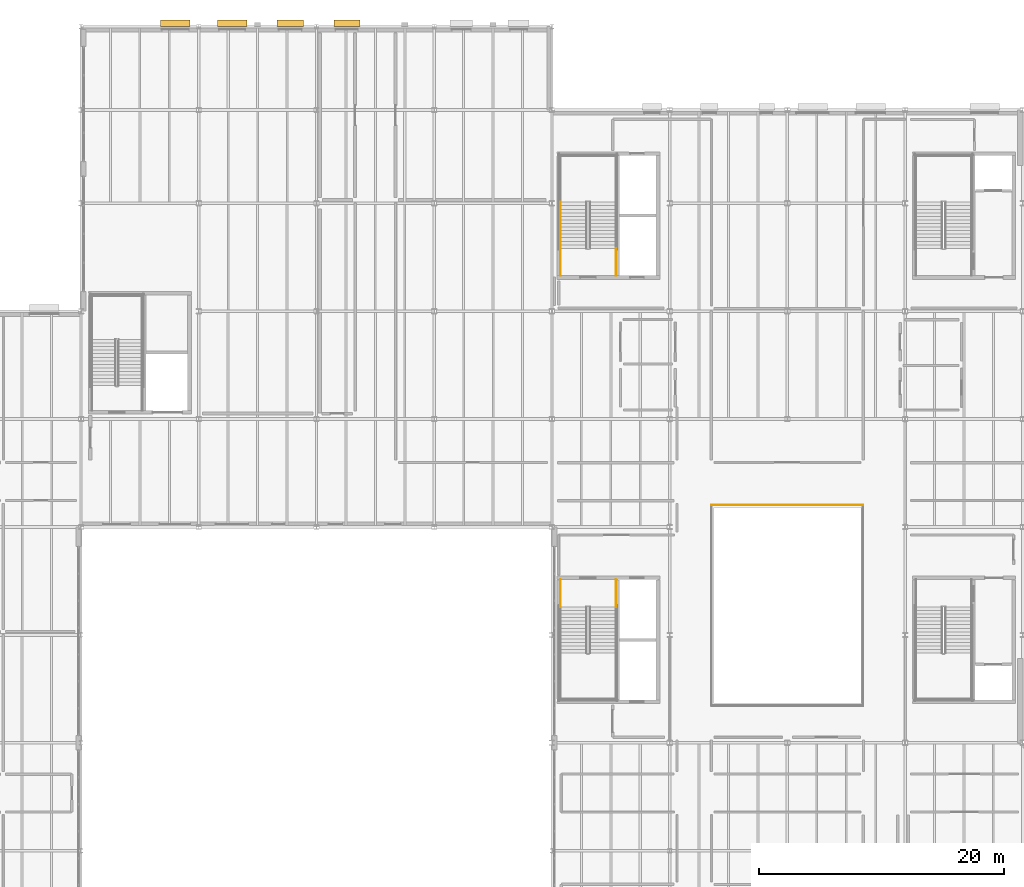
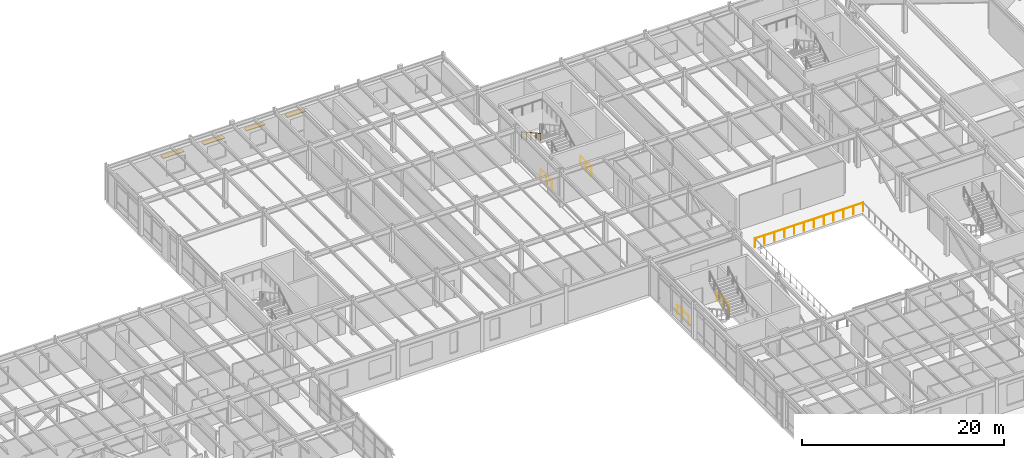
# One storey, part 83 of 88: 6 railings, 4 shading devices.
"""IFC4 building model written with IfcOpenShell, lengths in metres."""

from ifc_helpers import new_model, si_unit, direction, frame, origin, origin_2d, place, context, subcontext, project, spatial, rectangle, circle, extrude, material, layer, layer_set, type_object, element, save


model = new_model("IFC4")

# Units and contexts
model_context = context("Model", 3, precision=1e-05, world=origin(), true_north=direction((0.0, 1.0)))
body_context = subcontext(model_context, "Body", "Model", "MODEL_VIEW")
ifc_project = project(units=[si_unit("LENGTHUNIT", "METRE"), si_unit("AREAUNIT", "SQUARE_METRE"), si_unit("VOLUMEUNIT", "CUBIC_METRE"), si_unit("PLANEANGLEUNIT", "RADIAN"), si_unit("MASSUNIT", "GRAM", prefix="KILO")], contexts=[model_context])

# Site, building, storey
site_placement = place(None, origin())
site = spatial("IfcSite", under=ifc_project, at=site_placement, CompositionType="ELEMENT")
building_placement = place(site_placement, origin())
building = spatial("IfcBuilding", under=site, at=building_placement, Name="Sarnbrook Museum", CompositionType="ELEMENT")
storey_placement = place(building_placement, frame((0.0, 0.0, 10.10009765625)))
storey = spatial("IfcBuildingStorey", under=building, at=storey_placement, Name="L02", CompositionType="ELEMENT", Elevation=10.10009765625)

# Shading devices
ifc_material_1 = material(Name="Patinated Architectural Bronze")
shading_device_type = type_object("IfcShadingDeviceType", Name="BriseSoleil_Horizontal", PredefinedType="SHUTTER", material=ifc_material_1)
shading_device_1_placement = place(storey_placement, frame((64.073974609375, 115.469970703125, 2.7646484375), z_axis=(0.0, 0.0, 1.0), x_axis=(1.0, 0.0, 0.0)))
element("IfcShadingDevice", 1, at=shading_device_1_placement, inside=storey, type_object=shading_device_type, Name="Horizontal Bronze Brise-Soleil BS-022", PredefinedType="SHUTTER", context=body_context, shape_type="SweptSolid", body=[
    extrude(rectangle(XDim=2.1201171875, YDim=0.550048828125, at=origin_2d()), origin(), (0.0, 0.0, 1.0), 0.090087890625),
])
shading_device_2_placement = place(storey_placement, frame((59.458984375, 115.469970703125, 2.7646484375), z_axis=(0.0, 0.0, 1.0), x_axis=(1.0, 0.0, 0.0)))
element("IfcShadingDevice", 2, at=shading_device_2_placement, inside=storey, type_object=shading_device_type, Name="Horizontal Bronze Brise-Soleil BS-023", PredefinedType="SHUTTER", context=body_context, shape_type="SweptSolid", body=[
    extrude(rectangle(XDim=2.14990234375, YDim=0.550048828125, at=origin_2d()), origin(), (0.0, 0.0, 1.0), 0.090087890625),
])
for number, where, z_axis, x_axis, name in (
    (3, (54.72412109375, 115.469970703125, 2.7646484375), (0.0, 0.0, 1.0), (1.0, 0.0, 0.0), "Horizontal Bronze Brise-Soleil BS-024"),
    (4, (50.083984375, 115.469970703125, 2.7646484375), (0.0, 0.0, 1.0), (1.0, 0.0, 0.0), "Horizontal Bronze Brise-Soleil BS-025"),
):
    element("IfcShadingDevice", number, at=place(storey_placement, frame(where, z_axis=z_axis, x_axis=x_axis)), inside=storey, type_object=shading_device_type, Name=name, PredefinedType="SHUTTER", context=body_context, shape_type="SweptSolid", body=[
        extrude(rectangle(XDim=2.39990234375, YDim=0.550048828125, at=origin_2d()), origin(), (0.0, 0.0, 1.0), 0.090087890625),
    ])

# Railings
ifc_material_2 = material(Name="Brushed Stainless Steel Grade 316", Category="steel")
ifc_layer_1 = layer(ifc_material_2, 0.050048828125)
ifc_layer_set_1 = layer_set([ifc_layer_1], Name="Brushed Stainless Steel Grade 316")
railing_type_1 = type_object("IfcRailingType", Name="Guard_Int1120", PredefinedType="BALUSTRADE", material=ifc_layer_set_1)
for number, where, name in (
    (5, (81.489990234375, 70.10009765625, 0.0), "L02 ST3 stair guard 8"),
    (6, (86.010009765625, 70.10009765625, 0.0), "L02 ST3 stair guard 9"),
):
    element("IfcRailing", number, at=place(storey_placement, frame(where)), inside=storey, type_object=railing_type_1, Name=name, PredefinedType="BALUSTRADE", context=body_context, shape_type="SweptSolid", body=[
        extrude(circle(Radius=0.02392578125, at=origin_2d()), frame((0.0, 0.0, 1.09619140625), z_axis=(0.0, -1.0, 0.0), x_axis=(1.0, 0.0, 0.0)), (0.0, 0.0, 1.0), 2.22021484375),
        extrude(circle(Radius=0.02099609375, at=origin_2d()), origin(), (0.0, 0.0, 1.0), 1.072021484375),
        extrude(circle(Radius=0.02099609375, at=origin_2d()), frame((0.0, -1.110107421875, 0.0)), (0.0, 0.0, 1.0), 1.072021484375),
        extrude(circle(Radius=0.02099609375, at=origin_2d()), frame((0.0, -2.22021484375, 0.0)), (0.0, 0.0, 1.0), 1.072021484375),
    ])
for number, where, name in (
    (7, (86.010009765625, 94.89990234375, 0.0), "L02 ST4 stair guard 8"),
    (8, (81.489990234375, 94.89990234375, 0.0), "L02 ST4 stair guard 9"),
):
    element("IfcRailing", number, at=place(storey_placement, frame(where)), inside=storey, type_object=railing_type_1, Name=name, PredefinedType="BALUSTRADE", context=body_context, shape_type="SweptSolid", body=[
        extrude(circle(Radius=0.02392578125, at=origin_2d()), frame((0.0, 0.0, 1.09619140625), z_axis=(0.0, 1.0, 0.0), x_axis=(-1.0, 0.0, 0.0)), (0.0, 0.0, 1.0), 2.22021484375),
        extrude(circle(Radius=0.02099609375, at=origin_2d()), origin(), (0.0, 0.0, 1.0), 1.072021484375),
        extrude(circle(Radius=0.02099609375, at=origin_2d()), frame((0.0, 1.110107421875, 0.0)), (0.0, 0.0, 1.0), 1.072021484375),
        extrude(circle(Radius=0.02099609375, at=origin_2d()), frame((0.0, 2.22021484375, 0.0)), (0.0, 0.0, 1.0), 1.072021484375),
    ])
railing_1_placement = place(storey_placement, frame((106.179931640625, 76.179931640625, 0.0)))
element("IfcRailing", 9, at=railing_1_placement, inside=storey, type_object=railing_type_1, Name="Atrium Gallery Balustrade L02-3", PredefinedType="BALUSTRADE", context=body_context, shape_type="SweptSolid", body=[
    extrude(circle(Radius=0.02392578125, at=origin_2d()), frame((0.0, 0.0, 1.09619140625), z_axis=(-1.0, 0.0, 0.0), x_axis=(0.0, -1.0, 0.0)), (0.0, 0.0, 1.0), 12.35986328125),
    extrude(circle(Radius=0.02099609375, at=origin_2d()), origin(), (0.0, 0.0, 1.0), 1.072021484375),
    extrude(circle(Radius=0.02099609375, at=origin_2d()), frame((-1.12353515625, 0.0, 0.0)), (0.0, 0.0, 1.0), 1.072021484375),
    extrude(circle(Radius=0.02099609375, at=origin_2d()), frame((-2.247314453125, 0.0, 0.0)), (0.0, 0.0, 1.0), 1.072021484375),
    extrude(circle(Radius=0.02099609375, at=origin_2d()), frame((-3.370849609375, 0.0, 0.0)), (0.0, 0.0, 1.0), 1.072021484375),
    extrude(circle(Radius=0.02099609375, at=origin_2d()), frame((-4.494384765625, 0.0, 0.0)), (0.0, 0.0, 1.0), 1.072021484375),
    extrude(circle(Radius=0.02099609375, at=origin_2d()), frame((-5.6181640625, 0.0, 0.0)), (0.0, 0.0, 1.0), 1.072021484375),
    extrude(circle(Radius=0.02099609375, at=origin_2d()), frame((-6.74169921875, 0.0, 0.0)), (0.0, 0.0, 1.0), 1.072021484375),
    extrude(circle(Radius=0.02099609375, at=origin_2d()), frame((-7.865478515625, 0.0, 0.0)), (0.0, 0.0, 1.0), 1.072021484375),
    extrude(circle(Radius=0.02099609375, at=origin_2d()), frame((-8.989013671875, 0.0, 0.0)), (0.0, 0.0, 1.0), 1.072021484375),
    extrude(circle(Radius=0.02099609375, at=origin_2d()), frame((-10.112548828125, 0.0, 0.0)), (0.0, 0.0, 1.0), 1.072021484375),
    extrude(circle(Radius=0.02099609375, at=origin_2d()), frame((-11.236328125, 0.0, 0.0)), (0.0, 0.0, 1.0), 1.072021484375),
    extrude(circle(Radius=0.02099609375, at=origin_2d()), frame((-12.35986328125, 0.0, 0.0)), (0.0, 0.0, 1.0), 1.072021484375),
])
ifc_layer_2 = layer(ifc_material_2, 0.048095703125)
ifc_layer_set_2 = layer_set([ifc_layer_2], Name="Brushed Stainless Steel Grade 316")
railing_type_2 = type_object("IfcRailingType", Name="Handrail_920", PredefinedType="HANDRAIL", material=ifc_layer_set_2)
railing_2_placement = place(storey_placement, frame((81.489990234375, 100.889892578125, 2.41064453125)))
element("IfcRailing", 10, at=railing_2_placement, inside=storey, type_object=railing_type_2, Name="L02 ST4 stair handrail 2", PredefinedType="HANDRAIL", context=body_context, shape_type="SweptSolid", body=[
    extrude(circle(Radius=0.02392578125, at=origin_2d()), frame((0.0, 0.0, 0.8857421875), z_axis=(0.0, -0.874645791573, 0.484762559697), x_axis=(1.0, 0.0, 0.0)), (0.0, 0.0, 1.0), 4.31005859375),
    extrude(circle(Radius=0.02099609375, at=origin_2d()), origin(), (0.0, 0.0, 1.0), 0.86181640625),
    extrude(circle(Radius=0.02099609375, at=origin_2d()), frame((0.0, -0.9423828125, 0.5224609375)), (0.0, 0.0, 1.0), 0.86181640625),
    extrude(circle(Radius=0.02099609375, at=origin_2d()), frame((0.0, -1.884765625, 1.044677734375)), (0.0, 0.0, 1.0), 0.86181640625),
    extrude(circle(Radius=0.02099609375, at=origin_2d()), frame((0.0, -2.827392578125, 1.56689453125)), (0.0, 0.0, 1.0), 0.86181640625),
    extrude(circle(Radius=0.02099609375, at=origin_2d()), frame((0.0, -3.769775390625, 2.08935546875)), (0.0, 0.0, 1.0), 0.86181640625),
])

save(model, "model.ifc")
